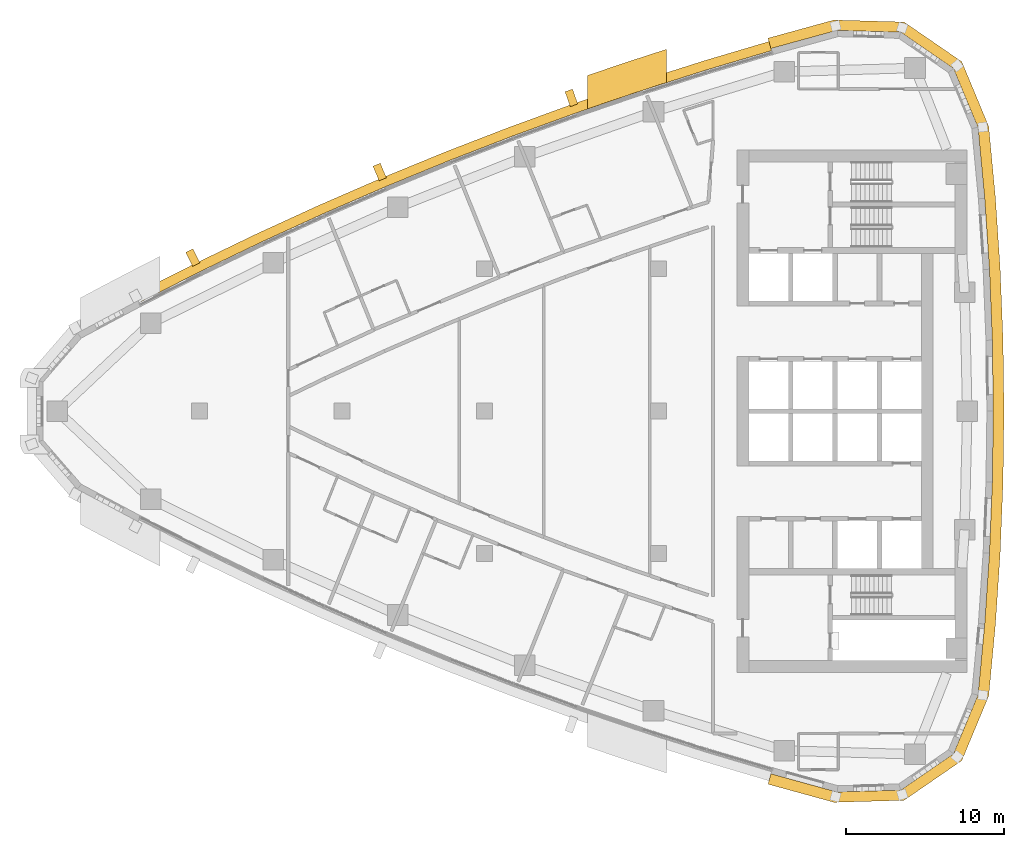
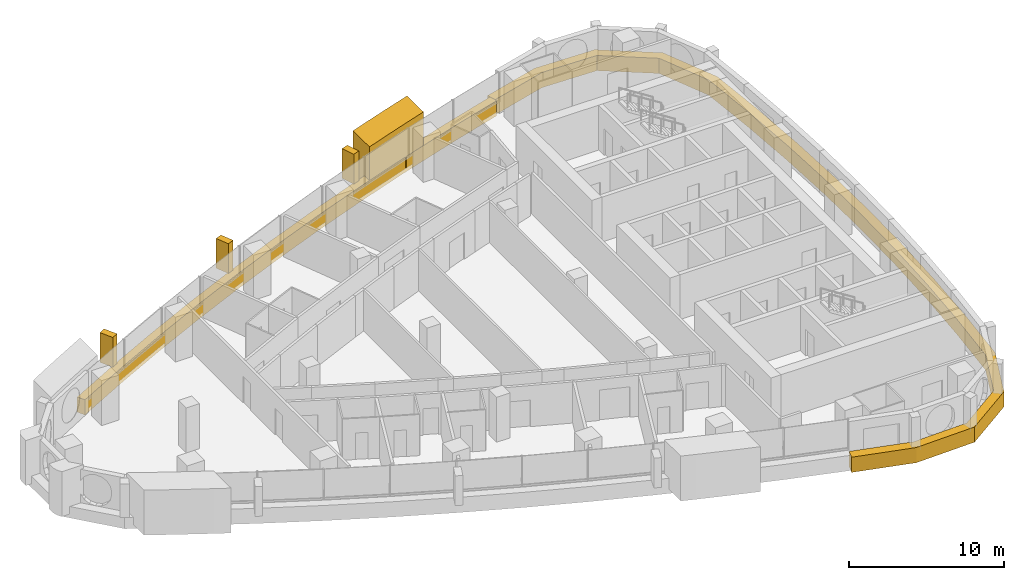
# One storey, part 16 of 17: 6 coverings.
"""IFC4 building model written with IfcOpenShell, lengths in metres."""

from ifc_helpers import new_model, si_unit, direction, frame, frame_2d, origin, place, context, subcontext, project, spatial, polyline, rectangle, outline, extrude, material, layer, layer_set, type_object, element, save


model = new_model("IFC4")

# Units and contexts
model_context = context("Model", 3, precision=1e-05, world=origin(), true_north=direction((0.0, 1.0)))
body_context = subcontext(model_context, "Body", "Model", "MODEL_VIEW")
ifc_project = project(units=[si_unit("LENGTHUNIT", "METRE"), si_unit("AREAUNIT", "SQUARE_METRE"), si_unit("VOLUMEUNIT", "CUBIC_METRE"), si_unit("PLANEANGLEUNIT", "RADIAN"), si_unit("MASSUNIT", "GRAM", prefix="KILO")], contexts=[model_context])

# Site, building, storey
site_placement = place(None, origin())
site = spatial("IfcSite", under=ifc_project, at=site_placement, CompositionType="ELEMENT")
building_placement = place(site_placement, origin())
building = spatial("IfcBuilding", under=site, at=building_placement, Name="Ostrand Prow Hotel Tower", CompositionType="ELEMENT")
storey_placement = place(building_placement, frame((0.0, 0.0, 200.35009765625)))
storey = spatial("IfcBuildingStorey", under=building, at=storey_placement, Name="L50", CompositionType="ELEMENT", Elevation=200.35009765625)

# Coverings
ifc_material_1 = material(Name="Bronze anodised aluminium cladding", Category="aluminium")
ifc_layer_1 = layer(ifc_material_1, 0.60009765625)
ifc_layer_set_1 = layer_set([ifc_layer_1], Name="Bronze anodised aluminium cladding")
covering_type_1 = type_object("IfcCoveringType", Name="Bronze spandrel band 1200x600", PredefinedType="CLADDING", material=ifc_layer_set_1)
covering_1_placement = place(storey_placement, frame((0.0, 0.0, -0.300048828125)))
element("IfcCovering", 1, at=covering_1_placement, inside=storey, type_object=covering_type_1, Name="Spandrel band N1", PredefinedType="CLADDING", context=body_context, shape_type="SweptSolid", body=[
    extrude(outline(polyline([(51.9736328125, 23.35009765625), (47.831787109375, 22.12060546875), (43.7158203125, 20.80810546875), (39.626708984375, 19.4130859375), (35.566650390625, 17.93603515625), (31.537353515625, 16.37744140625), (27.5400390625, 14.738037109375), (23.57666015625, 13.0185546875), (19.648681640625, 11.219482421875), (15.757568359375, 9.341796875), (11.9052734375, 7.38623046875), (12.18212890625, 6.85400390625), (16.023681640625, 8.80419921875), (19.90380859375, 10.676513671875), (23.821044921875, 12.470458984375), (27.773193359375, 14.185302734375), (31.759521484375, 15.820068359375), (35.777587890625, 17.374267578125), (39.826171875, 18.84716796875), (43.90380859375, 20.23828125), (48.00830078125, 21.547119140625), (52.138427734375, 22.773193359375), (51.9736328125, 23.35009765625)])), origin(), (0.0, 0.0, 1.0), 1.199951171875),
])
covering_2_placement = place(storey_placement, frame((0.0, 0.0, -0.300048828125)))
element("IfcCovering", 2, at=covering_2_placement, inside=storey, type_object=covering_type_1, Name="Spandrel band back 1", PredefinedType="CLADDING", context=body_context, shape_type="SweptSolid", body=[
    extrude(outline(polyline([(51.9130859375, -23.561767578125), (56.0830078125, -24.708740234375), (60.5087890625, -24.581787109375), (64.15625, -22.072021484375), (65.856201171875, -17.98388671875), (66.27783203125, -13.499267578125), (66.5791015625, -9.0048828125), (66.760009765625, -4.50390625), (66.8203125, 0.0), (66.760009765625, 4.50390625), (66.5791015625, 9.0048828125), (66.27783203125, 13.499267578125), (65.856201171875, 17.98388671875), (64.15625, 22.072021484375), (60.5087890625, 24.581787109375), (56.0830078125, 24.708740234375), (51.9130859375, 23.561767578125), (52.10009765625, 22.907958984375), (56.256591796875, 24.05126953125), (60.297607421875, 23.935302734375), (63.6279296875, 21.643798828125), (65.18017578125, 17.9111328125), (65.60009765625, 13.444580078125), (65.900146484375, 8.968505859375), (66.080078125, 4.48583984375), (66.140380859375, 0.0), (66.080078125, -4.48583984375), (65.900146484375, -8.968505859375), (65.60009765625, -13.444580078125), (65.18017578125, -17.9111328125), (63.6279296875, -21.643798828125), (60.297607421875, -23.935302734375), (56.256591796875, -24.05126953125), (52.10009765625, -22.907958984375), (51.9130859375, -23.561767578125)])), origin(), (0.0, 0.0, 1.0), 1.199951171875),
])
ifc_material_2 = material(Name="Limestone cladding", Category="masonry")
ifc_layer_2 = layer(ifc_material_2, 5.0)
ifc_layer_set_2 = layer_set([ifc_layer_2], Name="Limestone cladding")
covering_type_2 = type_object("IfcCoveringType", Name="Portal jamb pilaster limestone", PredefinedType="CLADDING", material=ifc_layer_set_2)
covering_3_placement = place(storey_placement, origin())
element("IfcCovering", 3, at=covering_3_placement, inside=storey, type_object=covering_type_2, Name="Portal jamb NB L50", PredefinedType="CLADDING", context=body_context, shape_type="SweptSolid", body=[
    extrude(outline(polyline([(40.5, 19.08349609375), (41.5, 19.429443359375), (42.5, 19.769775390625), (43.5, 20.104736328125), (44.5, 20.43408203125), (45.5, 20.75830078125), (45.5, 22.85791015625), (44.5, 22.537109375), (43.5, 22.211181640625), (42.5, 21.879638671875), (41.5, 21.542724609375), (40.5, 21.200439453125), (40.5, 19.08349609375)])), origin(), (0.0, 0.0, 1.0), 3.5498046875),
])
ifc_material_3 = material(Name="Limestone cladding", Category="masonry")
ifc_layer_3 = layer(ifc_material_3, 0.5)
ifc_layer_set_3 = layer_set([ifc_layer_3], Name="Limestone cladding")
covering_type_3 = type_object("IfcCoveringType", Name="Precast stone fin 500x900", PredefinedType="CLADDING", material=ifc_layer_set_3)
for number, where, z_axis, x_axis, name in (
    (4, (39.659912109375, 19.31884765625, 0.89990234375), (0.0, 0.0, 1.0), (-0.332296445508, 0.943174995588, 0.0), "Stone fin N 4"),
    (5, (27.578857421875, 14.64599609375, 0.89990234375), (0.0, 0.0, 1.0), (-0.388668122057, 0.921377822013, 0.0), "Stone fin N 7"),
    (6, (15.802001953125, 9.252197265625, 0.89990234375), (0.0, 0.0, 1.0), (-0.443596720488, 0.89622650573, 0.0), "Stone fin N 10"),
):
    element("IfcCovering", number, at=place(storey_placement, frame(where, z_axis=z_axis, x_axis=x_axis)), inside=storey, type_object=covering_type_3, Name=name, PredefinedType="CLADDING", context=body_context, shape_type="SweptSolid", body=[
        extrude(rectangle(XDim=1.0, YDim=0.5, at=frame_2d((0.5, 0.0))), origin(), (0.0, 0.0, 1.0), 2.35009765625),
    ])

save(model, "model.ifc")
